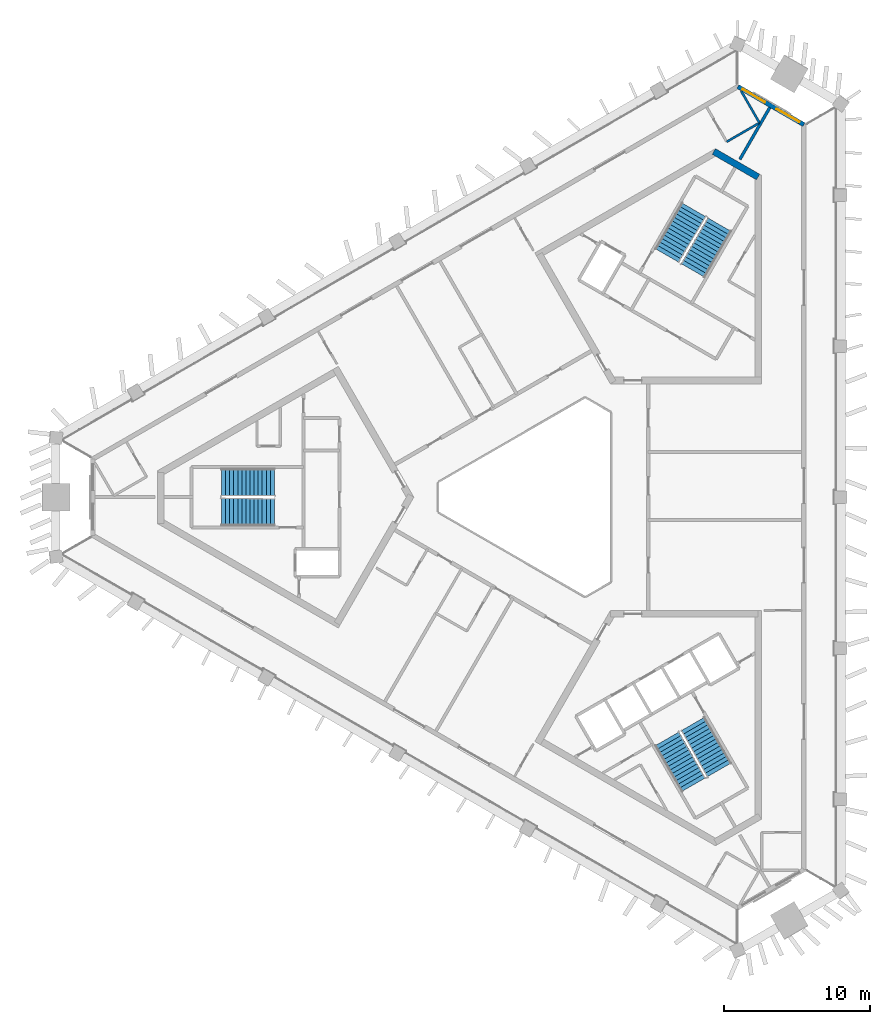
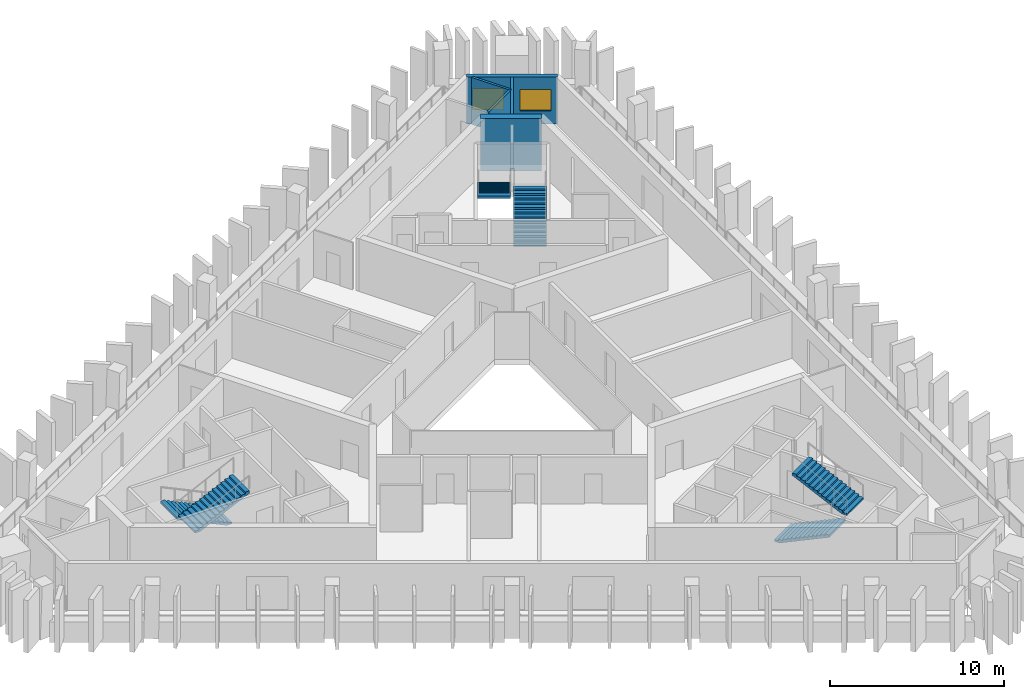
# One storey, part 6 of 9: 6 stair flights, 5 walls, 2 windows, 2 openings, 3 elements without a shape of their own.
"""IFC4 building model written with IfcOpenShell, lengths in metres."""

from ifc_helpers import new_model, si_unit, direction, frame, frame_2d, origin, place, context, subcontext, project, spatial, polyline, rectangle, outline, extrude, material, layer, layer_set, type_object, element, fill, aggregate, save


model = new_model("IFC4")

# Units and contexts
model_context = context("Model", 3, precision=1e-05, world=origin(), true_north=direction((0.0, 1.0)))
body_context = subcontext(model_context, "Body", "Model", "MODEL_VIEW")
ifc_project = project(units=[si_unit("LENGTHUNIT", "METRE"), si_unit("AREAUNIT", "SQUARE_METRE"), si_unit("VOLUMEUNIT", "CUBIC_METRE"), si_unit("PLANEANGLEUNIT", "RADIAN"), si_unit("MASSUNIT", "GRAM", prefix="KILO")], contexts=[model_context])

# Site, building, storey
site_placement = place(None, origin())
site = spatial("IfcSite", under=ifc_project, at=site_placement, CompositionType="ELEMENT")
building_placement = place(site_placement, origin())
building = spatial("IfcBuilding", under=site, at=building_placement, Name="Jabali Bay Hotel Tower and Convention Centre", CompositionType="ELEMENT")
storey_placement = place(building_placement, frame((0.0, 0.0, 213.199951171875)))
storey = spatial("IfcBuildingStorey", under=building, at=storey_placement, Name="L52", CompositionType="ELEMENT", Elevation=213.199951171875)

# Wall
ifc_material_1 = material(Name="Concrete C60", Category="concrete")
ifc_layer_1 = layer(ifc_material_1, 0.449951171875)
ifc_layer_set_1 = layer_set([ifc_layer_1], Name="Concrete C60")
wall_type_1 = type_object("IfcWallType", Name="Core wall 450", PredefinedType="SHEAR", material=ifc_layer_set_1)
wall_1_placement = place(storey_placement, frame((89.655029296875, 101.997802734375, 0.0), z_axis=(0.0, 0.0, 1.0), x_axis=(-0.866042179588, 0.49997094233, 0.0)))
element("IfcWall", 1, at=wall_1_placement, inside=storey, type_object=wall_type_1, Name="Core wall 2.3 L52", PredefinedType="SHEAR", context=body_context, shape_type="SweptSolid", body=[
    extrude(rectangle(XDim=3.515380859375, YDim=0.449951171875, at=frame_2d((1.7578125, 0.0))), origin(), (0.0, 0.0, 1.0), 3.699951171875),
])

# Wall, openings, windows
ifc_material_2 = material(Name="Concrete C40", Category="concrete")
ifc_layer_2 = layer(ifc_material_2, 0.300048828125)
ifc_layer_set_2 = layer_set([ifc_layer_2], Name="Concrete C40")
wall_type_2 = type_object("IfcWallType", Name="External wall 300", PredefinedType="SOLIDWALL", material=ifc_layer_set_2)
wall_2_placement = place(storey_placement, frame((88.265869140625, 108.21435546875, 0.0), z_axis=(0.0, 0.0, 1.0), x_axis=(0.866014017669, -0.500019720812, 0.0)))
wall_2 = element("IfcWall", 2, at=wall_2_placement, inside=storey, type_object=wall_type_2, Name="External wall north-east chamfer L52", PredefinedType="SOLIDWALL", context=body_context, shape_type="SweptSolid", body=[
    extrude(rectangle(XDim=5.237060546875, YDim=0.300048828125, at=frame_2d((2.61865234375, 0.0))), origin(), (0.0, 0.0, 1.0), 3.300048828125),
])
opening_1_placement = place(wall_2_placement, frame((3.070556640625, 0.0, 0.89990234375)))
opening_1 = element("IfcOpeningElement", 3, at=opening_1_placement, cuts=wall_2, Name="Opening W1", PredefinedType="OPENING", context=body_context, shape_type="SweptSolid", body=[
    extrude(rectangle(XDim=1.800048828125, YDim=1.5, at=frame_2d((0.89990234375, 0.75))), frame((0.0, 0.16064453125, 0.0), z_axis=(0.0, -1.0, 0.0), x_axis=(1.0, 0.0, 0.0)), (0.0, 0.0, 1.0), 0.321044921875),
])
opening_2_placement = place(wall_2_placement, frame((0.3583984375, 0.0, 0.89990234375)))
opening_2 = element("IfcOpeningElement", 4, at=opening_2_placement, cuts=wall_2, Name="Opening W1", PredefinedType="OPENING", context=body_context, shape_type="SweptSolid", body=[
    extrude(rectangle(XDim=1.800048828125, YDim=1.5, at=frame_2d((0.89990234375, 0.75))), frame((0.0, 0.16064453125, 0.0), z_axis=(0.0, -1.0, 0.0), x_axis=(1.0, 0.0, 0.0)), (0.0, 0.0, 1.0), 0.321044921875),
])
ifc_material_3 = material(Name="Glass", Category="glass")
window_type = type_object("IfcWindowType", Name="Window 1800 x 1500", PartitioningType="SINGLE_PANEL", PredefinedType="WINDOW", material=ifc_material_3)
window_1_placement = place(opening_1_placement, origin())
window_1 = element("IfcWindow", 5, at=window_1_placement, inside=storey, type_object=window_type, Name="Window 5202", OverallHeight=1.5, OverallWidth=1.800048828125, PartitioningType="SINGLE_PANEL", PredefinedType="WINDOW", context=body_context, shape_type="SweptSolid", body=[
    extrude(rectangle(XDim=1.800048828125, YDim=1.5, at=frame_2d((0.89990234375, 0.75))), frame((0.0, 0.030029296875, 0.0), z_axis=(0.0, -1.0, 0.0), x_axis=(1.0, 0.0, 0.0)), (0.0, 0.0, 1.0), 0.06005859375),
])
fill(opening_1, window_1)
window_2_placement = place(opening_2_placement, origin())
window_2 = element("IfcWindow", 6, at=window_2_placement, inside=storey, type_object=window_type, Name="Window 5203", OverallHeight=1.5, OverallWidth=1.800048828125, PartitioningType="SINGLE_PANEL", PredefinedType="WINDOW", context=body_context, shape_type="SweptSolid", body=[
    extrude(rectangle(XDim=1.800048828125, YDim=1.5, at=frame_2d((0.89990234375, 0.75))), frame((0.0, 0.030029296875, 0.0), z_axis=(0.0, -1.0, 0.0), x_axis=(1.0, 0.0, 0.0)), (0.0, 0.0, 1.0), 0.06005859375),
])
fill(opening_2, window_2)

# Walls
ifc_material_4 = material(Name="Plasterboard on steel stud", Category="steel")
ifc_layer_3 = layer(ifc_material_4, 0.14990234375)
ifc_layer_set_3 = layer_set([ifc_layer_3], Name="Plasterboard on steel stud")
wall_type_3 = type_object("IfcWallType", Name="Partition 150 wet", PredefinedType="PARTITIONING", material=ifc_layer_set_3)
wall_3_placement = place(storey_placement, frame((88.48291015625, 107.9169921875, 0.0), z_axis=(0.0, 0.0, 1.0), x_axis=(0.499983796486, -0.866034758685, 0.0)))
element("IfcWall", 7, at=wall_3_placement, inside=storey, type_object=wall_type_3, Name="Partition P03 L52 011", PredefinedType="PARTITIONING", context=body_context, shape_type="SweptSolid", body=[
    extrude(rectangle(XDim=2.53369140625, YDim=0.14990234375, at=frame_2d((1.266845703125, 0.0))), origin(), (0.0, 0.0, 1.0), 3.300048828125),
])
wall_4_placement = place(storey_placement, frame((89.749755859375, 105.72265625, 0.0), z_axis=(0.0, 0.0, 1.0), x_axis=(-0.866021400173, -0.500006934395, 0.0)))
element("IfcWall", 8, at=wall_4_placement, inside=storey, type_object=wall_type_3, Name="Partition P03 L52 012", PredefinedType="PARTITIONING", context=body_context, shape_type="SweptSolid", body=[
    extrude(rectangle(XDim=2.60009765625, YDim=0.14990234375, at=frame_2d((1.300048828125, 0.0))), origin(), (0.0, 0.0, 1.0), 3.300048828125),
])
ifc_layer_4 = layer(ifc_material_4, 0.199951171875)
ifc_layer_set_4 = layer_set([ifc_layer_4], Name="Plasterboard on steel stud")
wall_type_4 = type_object("IfcWallType", Name="Partition 200 party", PredefinedType="PARTITIONING", material=ifc_layer_set_4)
wall_5_placement = place(storey_placement, frame((90.459228515625, 106.776123046875, 0.0), z_axis=(0.0, 0.0, 1.0), x_axis=(-0.499979154163, -0.8660374388, 0.0)))
element("IfcWall", 9, at=wall_5_placement, inside=storey, type_object=wall_type_4, Name="Partition P01 L52 008", PredefinedType="PARTITIONING", context=body_context, shape_type="SweptSolid", body=[
    extrude(rectangle(XDim=4.116455078125, YDim=0.199951171875, at=frame_2d((2.05810546875, 0.0))), origin(), (0.0, 0.0, 1.0), 3.300048828125),
])

# Stair, stair flights
stair_type = type_object("IfcStairType", Name="Exit stair 1900", PredefinedType="HALF_TURN_STAIR", material=ifc_material_2)
stair_1_placement = place(storey_placement, origin())
stair_1 = element("IfcStair", 10, at=stair_1_placement, inside=storey, type_object=stair_type, Name="L52 Exit Stair 1", PredefinedType="HALF_TURN_STAIR")
stair_flight_type = type_object("IfcStairFlightType", Name="Stair flight concrete 150", PredefinedType="STRAIGHT", material=ifc_material_2)
stair_flight_1_placement = place(storey_placement, frame((56.419921875, 81.02490234375, 0.0), z_axis=(0.0, 0.0, 1.0), x_axis=(-1.0, 0.0, 0.0)))
stair_flight_1 = element("IfcStairFlight", 11, at=stair_flight_1_placement, type_object=stair_flight_type, Name="ST1 flight 1", NumberOfRisers=14, NumberOfTreads=13, PredefinedType="STRAIGHT", RiserHeight=0.132142857, TreadLength=0.28, context=body_context, shape_type="SweptSolid", body=[
    extrude(outline(polyline([(0.0, 0.0), (0.0, 0.132080078125), (0.280029296875, 0.132080078125), (0.280029296875, 0.264404296875), (0.56005859375, 0.264404296875), (0.56005859375, 0.396484375), (0.840087890625, 0.396484375), (0.840087890625, 0.528564453125), (1.1201171875, 0.528564453125), (1.1201171875, 0.66064453125), (1.39990234375, 0.66064453125), (1.39990234375, 0.79296875), (1.679931640625, 0.79296875), (1.679931640625, 0.925048828125), (1.9599609375, 0.925048828125), (1.9599609375, 1.05712890625), (2.239990234375, 1.05712890625), (2.239990234375, 1.189208984375), (2.52001953125, 1.189208984375), (2.52001953125, 1.321533203125), (2.800048828125, 1.321533203125), (2.800048828125, 1.45361328125), (3.080078125, 1.45361328125), (3.080078125, 1.585693359375), (3.360107421875, 1.585693359375), (3.360107421875, 1.7177734375), (3.639892578125, 1.7177734375), (3.639892578125, 1.85009765625), (3.639892578125, 1.552001953125), (0.351318359375, 0.0), (0.0, 0.0)])), frame((0.0, 0.949951171875, 0.0), z_axis=(0.0, -1.0, 0.0), x_axis=(1.0, 0.0, 0.0)), (0.0, 0.0, 1.0), 1.89990234375),
])
stair_flight_2_placement = place(storey_placement, frame((52.780029296875, 78.97509765625, 1.85009765625), z_axis=(0.0, 0.0, 1.0), x_axis=(1.0, 0.0, 0.0)))
stair_flight_2 = element("IfcStairFlight", 12, at=stair_flight_2_placement, type_object=stair_flight_type, Name="ST1 flight 2", NumberOfRisers=14, NumberOfTreads=13, PredefinedType="STRAIGHT", RiserHeight=0.132142857, TreadLength=0.28, context=body_context, shape_type="SweptSolid", body=[
    extrude(outline(polyline([(0.0, 0.0), (0.0, 0.132080078125), (0.280029296875, 0.132080078125), (0.280029296875, 0.264404296875), (0.56005859375, 0.264404296875), (0.56005859375, 0.396484375), (0.840087890625, 0.396484375), (0.840087890625, 0.528564453125), (1.1201171875, 0.528564453125), (1.1201171875, 0.66064453125), (1.39990234375, 0.66064453125), (1.39990234375, 0.79296875), (1.679931640625, 0.79296875), (1.679931640625, 0.925048828125), (1.9599609375, 0.925048828125), (1.9599609375, 1.05712890625), (2.239990234375, 1.05712890625), (2.239990234375, 1.189208984375), (2.52001953125, 1.189208984375), (2.52001953125, 1.321533203125), (2.800048828125, 1.321533203125), (2.800048828125, 1.45361328125), (3.080078125, 1.45361328125), (3.080078125, 1.585693359375), (3.360107421875, 1.585693359375), (3.360107421875, 1.7177734375), (3.639892578125, 1.7177734375), (3.639892578125, 1.85009765625), (3.639892578125, 1.552001953125), (0.351318359375, 0.0), (0.0, 0.0)])), frame((0.0, 0.949951171875, 0.0), z_axis=(0.0, -1.0, 0.0), x_axis=(1.0, 0.0, 0.0)), (0.0, 0.0, 1.0), 1.89990234375),
])
aggregate(stair_1, [stair_flight_1, stair_flight_2])

stair_2_placement = place(storey_placement, origin())
stair_2 = element("IfcStair", 13, at=stair_2_placement, inside=storey, type_object=stair_type, Name="L52 Exit Stair 2", PredefinedType="HALF_TURN_STAIR")
stair_flight_3_placement = place(storey_placement, frame((85.177734375, 95.578369140625, 0.0), z_axis=(0.0, 0.0, 1.0), x_axis=(0.5, 0.866025403784, 0.0)))
stair_flight_3 = element("IfcStairFlight", 14, at=stair_flight_3_placement, type_object=stair_flight_type, Name="ST2 flight 1", NumberOfRisers=14, NumberOfTreads=13, PredefinedType="STRAIGHT", RiserHeight=0.132142857, TreadLength=0.28, context=body_context, shape_type="SweptSolid", body=[
    extrude(outline(polyline([(0.0, 0.0), (0.0, 0.132080078125), (0.280029296875, 0.132080078125), (0.280029296875, 0.264404296875), (0.56005859375, 0.264404296875), (0.56005859375, 0.396484375), (0.840087890625, 0.396484375), (0.840087890625, 0.528564453125), (1.1201171875, 0.528564453125), (1.1201171875, 0.66064453125), (1.39990234375, 0.66064453125), (1.39990234375, 0.79296875), (1.679931640625, 0.79296875), (1.679931640625, 0.925048828125), (1.9599609375, 0.925048828125), (1.9599609375, 1.05712890625), (2.239990234375, 1.05712890625), (2.239990234375, 1.189208984375), (2.52001953125, 1.189208984375), (2.52001953125, 1.321533203125), (2.800048828125, 1.321533203125), (2.800048828125, 1.45361328125), (3.080078125, 1.45361328125), (3.080078125, 1.585693359375), (3.360107421875, 1.585693359375), (3.360107421875, 1.7177734375), (3.639892578125, 1.7177734375), (3.639892578125, 1.85009765625), (3.639892578125, 1.552001953125), (0.351318359375, 0.0), (0.0, 0.0)])), frame((0.0, 0.949951171875, 0.0), z_axis=(0.0, -1.0, 0.0), x_axis=(1.0, 0.0, 0.0)), (0.0, 0.0, 1.0), 1.89990234375),
])
stair_flight_4_placement = place(storey_placement, frame((85.222412109375, 99.755615234375, 1.85009765625), z_axis=(0.0, 0.0, 1.0), x_axis=(-0.5, -0.866025403784, 0.0)))
stair_flight_4 = element("IfcStairFlight", 15, at=stair_flight_4_placement, type_object=stair_flight_type, Name="ST2 flight 2", NumberOfRisers=14, NumberOfTreads=13, PredefinedType="STRAIGHT", RiserHeight=0.132142857, TreadLength=0.28, context=body_context, shape_type="SweptSolid", body=[
    extrude(outline(polyline([(0.0, 0.0), (0.0, 0.132080078125), (0.280029296875, 0.132080078125), (0.280029296875, 0.264404296875), (0.56005859375, 0.264404296875), (0.56005859375, 0.396484375), (0.840087890625, 0.396484375), (0.840087890625, 0.528564453125), (1.1201171875, 0.528564453125), (1.1201171875, 0.66064453125), (1.39990234375, 0.66064453125), (1.39990234375, 0.79296875), (1.679931640625, 0.79296875), (1.679931640625, 0.925048828125), (1.9599609375, 0.925048828125), (1.9599609375, 1.05712890625), (2.239990234375, 1.05712890625), (2.239990234375, 1.189208984375), (2.52001953125, 1.189208984375), (2.52001953125, 1.321533203125), (2.800048828125, 1.321533203125), (2.800048828125, 1.45361328125), (3.080078125, 1.45361328125), (3.080078125, 1.585693359375), (3.360107421875, 1.585693359375), (3.360107421875, 1.7177734375), (3.639892578125, 1.7177734375), (3.639892578125, 1.85009765625), (3.639892578125, 1.552001953125), (0.351318359375, 0.0), (0.0, 0.0)])), frame((0.0, 0.949951171875, 0.0), z_axis=(0.0, -1.0, 0.0), x_axis=(1.0, 0.0, 0.0)), (0.0, 0.0, 1.0), 1.89990234375),
])
aggregate(stair_2, [stair_flight_3, stair_flight_4])

stair_3_placement = place(storey_placement, origin())
stair_3 = element("IfcStair", 16, at=stair_3_placement, inside=storey, type_object=stair_type, Name="L52 Exit Stair 3", PredefinedType="HALF_TURN_STAIR")
stair_flight_5_placement = place(storey_placement, frame((83.40234375, 63.396728515625, 0.0), z_axis=(0.0, 0.0, 1.0), x_axis=(0.5, -0.866025403784, 0.0)))
stair_flight_5 = element("IfcStairFlight", 17, at=stair_flight_5_placement, type_object=stair_flight_type, Name="ST3 flight 1", NumberOfRisers=14, NumberOfTreads=13, PredefinedType="STRAIGHT", RiserHeight=0.132142857, TreadLength=0.28, context=body_context, shape_type="SweptSolid", body=[
    extrude(outline(polyline([(0.0, 0.0), (0.0, 0.132080078125), (0.280029296875, 0.132080078125), (0.280029296875, 0.264404296875), (0.56005859375, 0.264404296875), (0.56005859375, 0.396484375), (0.840087890625, 0.396484375), (0.840087890625, 0.528564453125), (1.1201171875, 0.528564453125), (1.1201171875, 0.66064453125), (1.39990234375, 0.66064453125), (1.39990234375, 0.79296875), (1.679931640625, 0.79296875), (1.679931640625, 0.925048828125), (1.9599609375, 0.925048828125), (1.9599609375, 1.05712890625), (2.239990234375, 1.05712890625), (2.239990234375, 1.189208984375), (2.52001953125, 1.189208984375), (2.52001953125, 1.321533203125), (2.800048828125, 1.321533203125), (2.800048828125, 1.45361328125), (3.080078125, 1.45361328125), (3.080078125, 1.585693359375), (3.360107421875, 1.585693359375), (3.360107421875, 1.7177734375), (3.639892578125, 1.7177734375), (3.639892578125, 1.85009765625), (3.639892578125, 1.552001953125), (0.351318359375, 0.0), (0.0, 0.0)])), frame((0.0, 0.949951171875, 0.0), z_axis=(0.0, -1.0, 0.0), x_axis=(1.0, 0.0, 0.0)), (0.0, 0.0, 1.0), 1.89990234375),
])
stair_flight_6_placement = place(storey_placement, frame((86.99755859375, 61.26953125, 1.85009765625), z_axis=(0.0, 0.0, 1.0), x_axis=(-0.5, 0.866025403784, 0.0)))
stair_flight_6 = element("IfcStairFlight", 18, at=stair_flight_6_placement, type_object=stair_flight_type, Name="ST3 flight 2", NumberOfRisers=14, NumberOfTreads=13, PredefinedType="STRAIGHT", RiserHeight=0.132142857, TreadLength=0.28, context=body_context, shape_type="SweptSolid", body=[
    extrude(outline(polyline([(0.0, 0.0), (0.0, 0.132080078125), (0.280029296875, 0.132080078125), (0.280029296875, 0.264404296875), (0.56005859375, 0.264404296875), (0.56005859375, 0.396484375), (0.840087890625, 0.396484375), (0.840087890625, 0.528564453125), (1.1201171875, 0.528564453125), (1.1201171875, 0.66064453125), (1.39990234375, 0.66064453125), (1.39990234375, 0.79296875), (1.679931640625, 0.79296875), (1.679931640625, 0.925048828125), (1.9599609375, 0.925048828125), (1.9599609375, 1.05712890625), (2.239990234375, 1.05712890625), (2.239990234375, 1.189208984375), (2.52001953125, 1.189208984375), (2.52001953125, 1.321533203125), (2.800048828125, 1.321533203125), (2.800048828125, 1.45361328125), (3.080078125, 1.45361328125), (3.080078125, 1.585693359375), (3.360107421875, 1.585693359375), (3.360107421875, 1.7177734375), (3.639892578125, 1.7177734375), (3.639892578125, 1.85009765625), (3.639892578125, 1.552001953125), (0.351318359375, 0.0), (0.0, 0.0)])), frame((0.0, 0.949951171875, 0.0), z_axis=(0.0, -1.0, 0.0), x_axis=(1.0, 0.0, 0.0)), (0.0, 0.0, 1.0), 1.89990234375),
])
aggregate(stair_3, [stair_flight_5, stair_flight_6])

save(model, "model.ifc")
